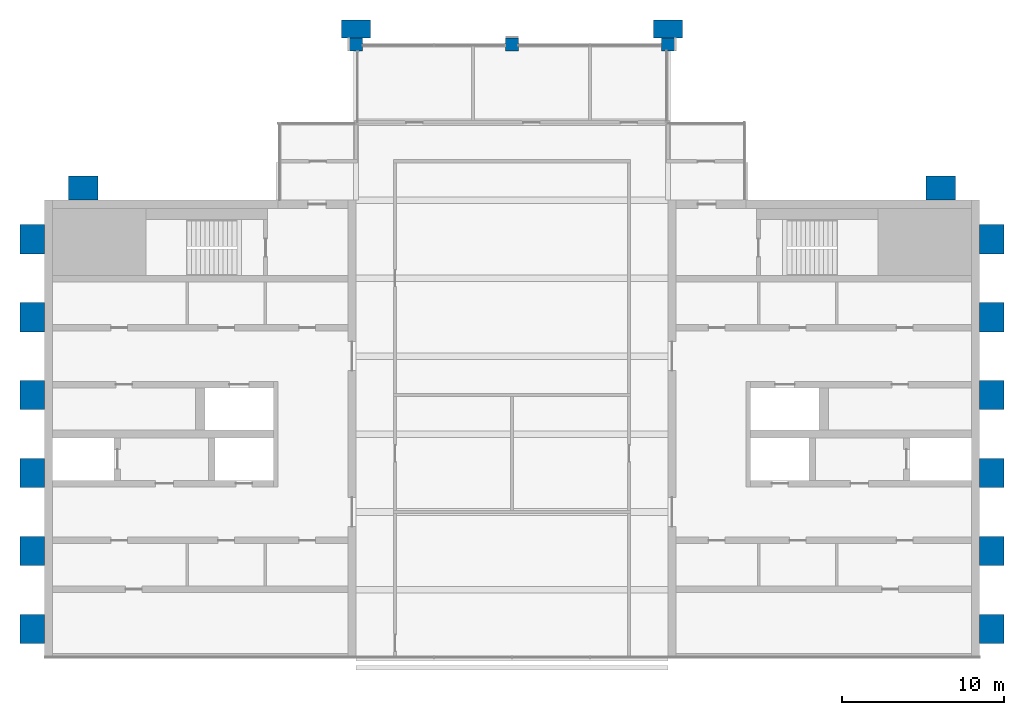
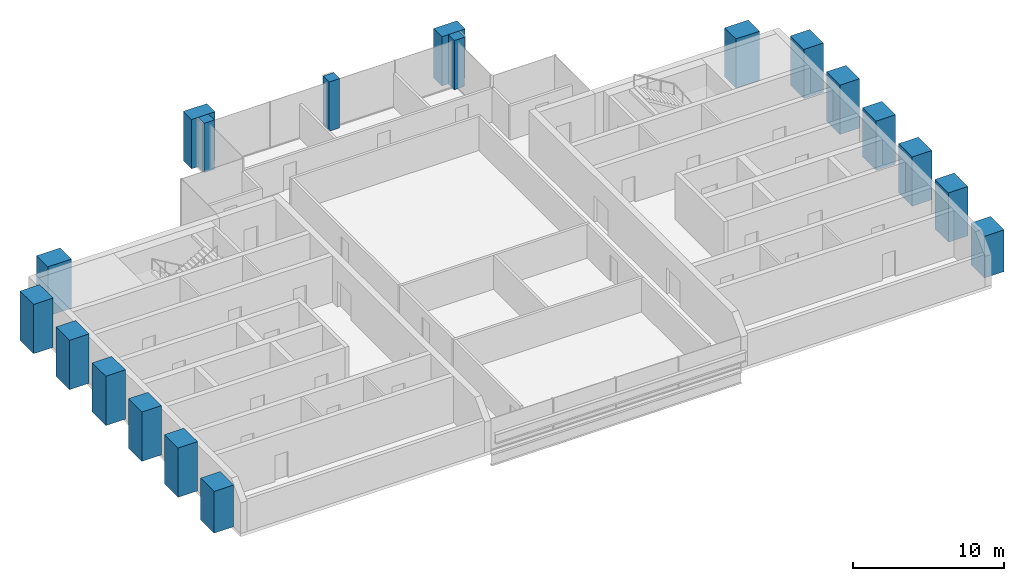
# One storey, part 1 of 12: 19 columns.
"""IFC4 building model written with IfcOpenShell, lengths in metres."""

import ifcopenshell
import ifcopenshell.guid

model = None  # the IFC model being written
_history = None  # IfcOwnerHistory: only IFC2X3 demands one
_inside = {}  # id of a spatial element -> (the spatial element, [elements in it])
_under = {}  # id of a project, library or spatial element -> (it, [spatial elements below it])
_declared = {}  # id of a project -> (the project, [libraries it declares])
_typed = {}  # id of a type object -> (the type object, [elements of that type])
_made_of = {}  # id of a material, layer set ... -> (it, [elements and type objects made of it])


def new_model(schema):
    """Start an empty IFC model of exactly this schema.

    Asked for "IFC4X3", IfcOpenShell would pick the latest addendum, in which some entities
    have other attributes; the version numbers below select the first issue.
    IFC2X3 requires an IfcOwnerHistory on every rooted entity: one is made here for all.
    """
    global model, _history
    if schema == "IFC4X3":
        model = ifcopenshell.file(schema_version=(4, 3, 0, 0))
    else:
        model = ifcopenshell.file(schema=schema)
    _inside.clear()
    _under.clear()
    _declared.clear()
    _typed.clear()
    _made_of.clear()
    _history = None
    if model.schema == "IFC2X3":
        org = make("IfcOrganization", Name="unknown")
        user = make(
            "IfcPersonAndOrganization",
            ThePerson=make("IfcPerson", FamilyName="unknown"),
            TheOrganization=org,
        )
        app = make(
            "IfcApplication",
            ApplicationDeveloper=org,
            Version="unknown",
            ApplicationFullName="unknown",
            ApplicationIdentifier="unknown",
        )
        _history = make(
            "IfcOwnerHistory",
            OwningUser=user,
            OwningApplication=app,
            ChangeAction="ADDED",
            CreationDate=0,
        )
    return model


def make(cls, **values):
    """One entity of the class cls with the attributes given. An attribute that is None is left unset."""
    return model.create_entity(
        cls, **{name: value for name, value in values.items() if value is not None}
    )


def rooted(cls, **values):
    """An entity with a GlobalId (a new one), such as an element, a storey or a relation."""
    return make(cls, GlobalId=ifcopenshell.guid.new(), OwnerHistory=_history, **values)


def si_unit(unit_type, name, prefix=None):
    """IfcSIUnit, for example si_unit("LENGTHUNIT", "METRE", prefix="MILLI")."""
    return make("IfcSIUnit", UnitType=unit_type, Prefix=prefix, Name=name)


def assignment(units):
    """IfcUnitAssignment: the units of a project."""
    return None if units is None else make("IfcUnitAssignment", Units=units)


def point(xyz):
    """IfcCartesianPoint."""
    return None if xyz is None else make("IfcCartesianPoint", Coordinates=xyz)


def direction(xyz):
    """IfcDirection."""
    return None if xyz is None else make("IfcDirection", DirectionRatios=xyz)


def frame(location, z_axis=None, x_axis=None):
    """IfcAxis2Placement3D, a coordinate frame: its origin and axes. An axis left out is left unset."""
    return make(
        "IfcAxis2Placement3D",
        Location=point(location),
        Axis=direction(z_axis),
        RefDirection=direction(x_axis),
    )


def frame_2d(location, x_axis=None):
    """IfcAxis2Placement2D, a coordinate frame in the plane: its origin and x axis."""
    return make(
        "IfcAxis2Placement2D", Location=point(location), RefDirection=direction(x_axis)
    )


def origin():
    """The frame at (0, 0, 0) with its axes left unset."""
    return frame((0.0, 0.0, 0.0))


def origin_2d():
    """The frame at (0, 0) in the plane with its x axis left unset."""
    return frame_2d((0.0, 0.0))


def place(relative_to, where):
    """IfcLocalPlacement: puts the frame where relative to a parent placement (None: the world)."""
    return make(
        "IfcLocalPlacement", PlacementRelTo=relative_to, RelativePlacement=where
    )


def context(
    kind, dimensions, precision=None, world=None, true_north=None, identifier=None
):
    """IfcGeometricRepresentationContext, for example the 3D "Model" context."""
    return make(
        "IfcGeometricRepresentationContext",
        ContextIdentifier=identifier,
        ContextType=kind,
        CoordinateSpaceDimension=dimensions,
        Precision=precision,
        WorldCoordinateSystem=world,
        TrueNorth=true_north,
    )


def subcontext(parent, identifier, kind, view, scale=None):
    """IfcGeometricRepresentationSubContext, for example "Body" below "Model"."""
    return make(
        "IfcGeometricRepresentationSubContext",
        ContextIdentifier=identifier,
        ContextType=kind,
        ParentContext=parent,
        TargetScale=scale,
        TargetView=view,
    )


def project(units=None, contexts=None):
    """IfcProject with its units and contexts."""
    return rooted(
        "IfcProject",
        Name="project",
        RepresentationContexts=contexts,
        UnitsInContext=assignment(units),
    )


def spatial(cls, under=None, at=None, **own):
    """A site, building, storey or space (cls), placed at a placement, below another one or the project."""
    s = rooted(cls, ObjectPlacement=at, **own)
    if under is not None:
        _under.setdefault(under.id(), (under, []))[1].append(s)
    return s


def profile(cls, at=None, kind="AREA", **sizes):
    """A parametric profile (cls). Its sizes go by their IFC names, for example OverallWidth=200.0."""
    return make(cls, ProfileType=kind, Position=at, **sizes)


def rectangle(**sizes):
    """IfcRectangleProfileDef."""
    return profile("IfcRectangleProfileDef", **sizes)


def extrude(swept, where, along, depth):
    """IfcExtrudedAreaSolid: the profile swept, set in the frame where, extruded along a direction by depth."""
    return make(
        "IfcExtrudedAreaSolid",
        SweptArea=swept,
        Position=where,
        ExtrudedDirection=direction(along),
        Depth=depth,
    )


def shape(context_of_items, identifier, shape_type, items):
    """IfcShapeRepresentation: the items that make up one representation, for example the "Body"."""
    return make(
        "IfcShapeRepresentation",
        ContextOfItems=context_of_items,
        RepresentationIdentifier=identifier,
        RepresentationType=shape_type,
        Items=items,
    )


def material(Name=None, Category=None):
    """IfcMaterial."""
    return make("IfcMaterial", Name=Name, Category=Category)


def material_profile(
    of_material, cross_section, Name=None, Category=None, Priority=None
):
    """IfcMaterialProfile: a cross section and its material."""
    return make(
        "IfcMaterialProfile",
        Name=Name,
        Material=of_material,
        Profile=cross_section,
        Priority=Priority,
        Category=Category,
    )


def profile_set(profiles, Name=None, composite=None):
    """IfcMaterialProfileSet."""
    return make(
        "IfcMaterialProfileSet",
        Name=Name,
        MaterialProfiles=profiles,
        CompositeProfile=composite,
    )


def made_of(thing, what):
    """Note that an element or type object is made of a material, layer set ...; save() writes the relation."""
    if what is not None:
        _made_of.setdefault(what.id(), (what, []))[1].append(thing)
    return thing


def type_object(cls, material=None, **own):
    """A type object (cls), such as IfcWallType, which elements share."""
    return made_of(rooted(cls, **own), material)


def element(
    cls,
    number,
    at=None,
    inside=None,
    cuts=None,
    type_object=None,
    material=None,
    context=None,
    identifier="Body",
    shape_type=None,
    held_by="IfcProductDefinitionShape",
    body=None,
    shapes=None,
    **own,
):
    """One element of the class cls, such as IfcWall. Its Tag is "e" and its number.

    at: its placement. inside: the storey or other place that contains it. cuts: it is an
    opening in that element (IfcRelVoidsElement). A single representation is given by context,
    identifier, shape_type and body (its items); several are given by shapes. held_by: the class
    of the entity that holds the representations. save() writes the other relations.
    """
    e = rooted(cls, Tag="e%d" % number, ObjectPlacement=at, **own)
    if body is not None:
        shapes = [shape(context, identifier, shape_type, body)]
    if shapes is not None:
        e.Representation = make(held_by, Representations=shapes)
    if inside is not None:
        _inside.setdefault(inside.id(), (inside, []))[1].append(e)
    if cuts is not None:
        rooted(
            "IfcRelVoidsElement", RelatingBuildingElement=cuts, RelatedOpeningElement=e
        )
    if type_object is not None:
        _typed.setdefault(type_object.id(), (type_object, []))[1].append(e)
    return made_of(e, material)


def aggregate(whole, parts):
    """IfcRelAggregates: a whole, such as a stair, and the parts it consists of."""
    return rooted("IfcRelAggregates", RelatingObject=whole, RelatedObjects=parts)


def save(model, path):
    """Write the relations noted so far, then the file.

    IfcRelAggregates (storeys below a building ...), IfcRelContainedInSpatialStructure (elements
    in a storey), IfcRelDefinesByType, IfcRelAssociatesMaterial and IfcRelDeclares: one each for
    every whole, place, type object, material and project.
    """
    for whole, parts in _under.values():
        aggregate(whole, parts)
    for where, things in _inside.values():
        rooted(
            "IfcRelContainedInSpatialStructure",
            RelatedElements=things,
            RelatingStructure=where,
        )
    for kind, things in _typed.values():
        rooted("IfcRelDefinesByType", RelatedObjects=things, RelatingType=kind)
    for what, things in _made_of.values():
        rooted("IfcRelAssociatesMaterial", RelatedObjects=things, RelatingMaterial=what)
    for by, libraries in _declared.values():
        rooted("IfcRelDeclares", RelatingContext=by, RelatedDefinitions=libraries)
    model.write(path)


model = new_model("IFC4")

# Units and contexts
model_context = context("Model", 3, precision=1e-05, world=origin(), true_north=direction((0.0, 1.0)))
body_context = subcontext(model_context, "Body", "Model", "MODEL_VIEW")
ifc_project = project(units=[si_unit("LENGTHUNIT", "METRE"), si_unit("AREAUNIT", "SQUARE_METRE"), si_unit("VOLUMEUNIT", "CUBIC_METRE"), si_unit("PLANEANGLEUNIT", "RADIAN"), si_unit("MASSUNIT", "GRAM", prefix="KILO")], contexts=[model_context])

# Site, building, storey
site_placement = place(None, origin())
site = spatial("IfcSite", under=ifc_project, at=site_placement, CompositionType="ELEMENT")
building_placement = place(site_placement, origin())
building = spatial("IfcBuilding", under=site, at=building_placement, Name="Baori Bourse Tower", CompositionType="ELEMENT")
storey_placement = place(building_placement, frame((0.0, 0.0, 370.300048828125)))
storey = spatial("IfcBuildingStorey", under=building, at=storey_placement, Name="L83", CompositionType="ELEMENT", Elevation=370.300048828125)

# Columns
ifc_material_1 = material(Name="Concrete f'c 60 MPa", Category="concrete")
ifc_material_profile_1 = material_profile(ifc_material_1, rectangle(XDim=1.800048828125, YDim=1.10009765625, at=origin_2d()), Name="RC 1800x1100")
ifc_profile_set_1 = profile_set([ifc_material_profile_1], Name="Concrete f'c 60 MPa")
column_type_1 = type_object("IfcColumnType", Name="FN3 Brick pilaster 1800x1100", PredefinedType="PILASTER", material=ifc_profile_set_1)
for number, where, z_axis, x_axis, name in (
    (1, (19.199951171875, 48.949951171875, 0.0), (0.0, 0.0, 1.0), (1.0, 0.0, 0.0), "Brick pilaster L83 15"),
    (2, (38.39990234375, 48.949951171875, 0.0), (0.0, 0.0, 1.0), (1.0, 0.0, 0.0), "Brick pilaster L83 16"),
):
    element("IfcColumn", number, at=place(storey_placement, frame(where, z_axis=z_axis, x_axis=x_axis)), inside=storey, type_object=column_type_1, Name=name, PredefinedType="PILASTER", context=body_context, shape_type="SweptSolid", body=[
        extrude(rectangle(XDim=1.800048828125, YDim=1.10009765625, at=origin_2d()), origin(), (0.0, 0.0, 1.0), 4.0),
    ])
ifc_material_2 = material(Name="Concrete f'c 60 MPa", Category="concrete")
ifc_material_profile_2 = material_profile(ifc_material_2, rectangle(XDim=1.800048828125, YDim=1.5, at=origin_2d()), Name="RC 1800x1500")
ifc_profile_set_2 = profile_set([ifc_material_profile_2], Name="Concrete f'c 60 MPa")
column_type_2 = type_object("IfcColumnType", Name="FN4 Brick flank pilaster 1800x1500", PredefinedType="PILASTER", material=ifc_profile_set_2)
column_1_placement = place(storey_placement, frame((-0.75, 12.0, 0.0), z_axis=(0.0, 0.0, 1.0), x_axis=(0.0, 1.0, 0.0)))
element("IfcColumn", 3, at=column_1_placement, inside=storey, type_object=column_type_2, Name="Brick pilaster L83 1", PredefinedType="PILASTER", context=body_context, shape_type="SweptSolid", body=[
    extrude(rectangle(XDim=1.800048828125, YDim=1.5, at=origin_2d()), origin(), (0.0, 0.0, 1.0), 3.387451171875),
])
for number, where, z_axis, x_axis, name in (
    (4, (-0.75, 16.800048828125, 0.0), (0.0, 0.0, 1.0), (0.0, 1.0, 0.0), "Brick pilaster L83 2"),
    (5, (-0.75, 21.60009765625, 0.0), (0.0, 0.0, 1.0), (0.0, 1.0, 0.0), "Brick pilaster L83 3"),
    (6, (-0.75, 26.39990234375, 0.0), (0.0, 0.0, 1.0), (0.0, 1.0, 0.0), "Brick pilaster L83 4"),
    (7, (-0.75, 31.199951171875, 0.0), (0.0, 0.0, 1.0), (0.0, 1.0, 0.0), "Brick pilaster L83 5"),
    (8, (-0.75, 36.0, 0.0), (0.0, 0.0, 1.0), (0.0, 1.0, 0.0), "Brick pilaster L83 6"),
):
    element("IfcColumn", number, at=place(storey_placement, frame(where, z_axis=z_axis, x_axis=x_axis)), inside=storey, type_object=column_type_2, Name=name, PredefinedType="PILASTER", context=body_context, shape_type="SweptSolid", body=[
        extrude(rectangle(XDim=1.800048828125, YDim=1.5, at=origin_2d()), origin(), (0.0, 0.0, 1.0), 4.0),
    ])
column_2_placement = place(storey_placement, frame((58.35009765625, 12.0, 0.0), z_axis=(0.0, 0.0, 1.0), x_axis=(0.0, 1.0, 0.0)))
element("IfcColumn", 9, at=column_2_placement, inside=storey, type_object=column_type_2, Name="Brick pilaster L83 7", PredefinedType="PILASTER", context=body_context, shape_type="SweptSolid", body=[
    extrude(rectangle(XDim=1.800048828125, YDim=1.5, at=origin_2d()), origin(), (0.0, 0.0, 1.0), 3.387451171875),
])
for number, where, z_axis, x_axis, name in (
    (10, (58.35009765625, 16.800048828125, 0.0), (0.0, 0.0, 1.0), (0.0, 1.0, 0.0), "Brick pilaster L83 8"),
    (11, (58.35009765625, 21.60009765625, 0.0), (0.0, 0.0, 1.0), (0.0, 1.0, 0.0), "Brick pilaster L83 9"),
    (12, (58.35009765625, 26.39990234375, 0.0), (0.0, 0.0, 1.0), (0.0, 1.0, 0.0), "Brick pilaster L83 10"),
    (13, (58.35009765625, 31.199951171875, 0.0), (0.0, 0.0, 1.0), (0.0, 1.0, 0.0), "Brick pilaster L83 11"),
    (14, (58.35009765625, 36.0, 0.0), (0.0, 0.0, 1.0), (0.0, 1.0, 0.0), "Brick pilaster L83 12"),
    (15, (55.199951171875, 39.14990234375, 0.0), (0.0, 0.0, 1.0), (1.0, 0.0, 0.0), "Brick pilaster L83 13"),
    (16, (2.39990234375, 39.14990234375, 0.0), (0.0, 0.0, 1.0), (1.0, 0.0, 0.0), "Brick pilaster L83 14"),
):
    element("IfcColumn", number, at=place(storey_placement, frame(where, z_axis=z_axis, x_axis=x_axis)), inside=storey, type_object=column_type_2, Name=name, PredefinedType="PILASTER", context=body_context, shape_type="SweptSolid", body=[
        extrude(rectangle(XDim=1.800048828125, YDim=1.5, at=origin_2d()), origin(), (0.0, 0.0, 1.0), 4.0),
    ])
ifc_material_3 = material(Name="Concrete f'c 40 MPa", Category="concrete")
ifc_material_profile_3 = material_profile(ifc_material_3, rectangle(XDim=0.800048828125, YDim=0.800048828125, at=origin_2d()), Name="RC 800x800")
ifc_profile_set_3 = profile_set([ifc_material_profile_3], Name="Concrete f'c 40 MPa")
column_type_3 = type_object("IfcColumnType", Name="Perimeter column 40 RC 800x800", PredefinedType="COLUMN", material=ifc_profile_set_3)
for number, where, z_axis, x_axis, name in (
    (17, (19.199951171875, 48.0, 0.0), (0.0, 0.0, 1.0), (1.0, 0.0, 0.0), "Perimeter column L83"),
    (18, (28.800048828125, 48.0, 0.0), (0.0, 0.0, 1.0), (1.0, 0.0, 0.0), "Perimeter column L83"),
    (19, (38.39990234375, 48.0, 0.0), (0.0, 0.0, 1.0), (1.0, 0.0, 0.0), "Perimeter column L83"),
):
    element("IfcColumn", number, at=place(storey_placement, frame(where, z_axis=z_axis, x_axis=x_axis)), inside=storey, type_object=column_type_3, Name=name, PredefinedType="COLUMN", context=body_context, shape_type="SweptSolid", body=[
        extrude(rectangle(XDim=0.800048828125, YDim=0.800048828125, at=origin_2d()), origin(), (0.0, 0.0, 1.0), 4.0),
    ])

save(model, "model.ifc")
